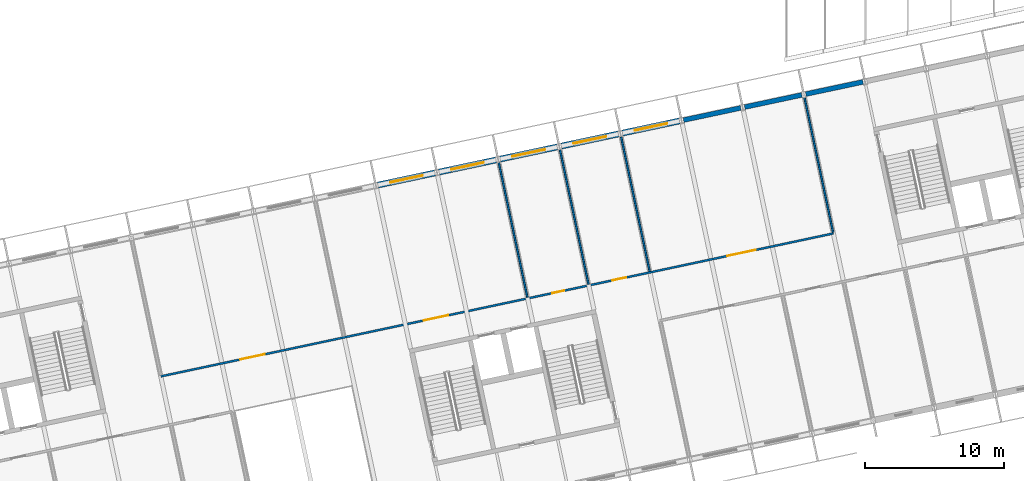
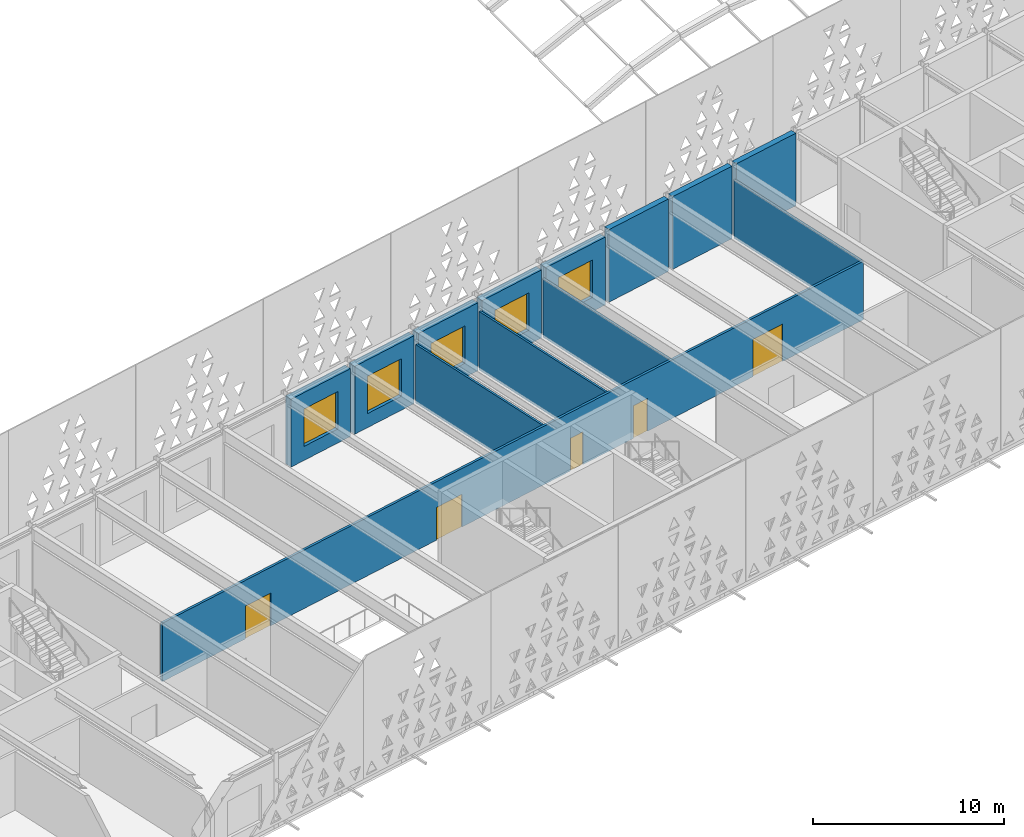
# One storey, part 123 of 196: 13 walls, 5 doors, 5 windows, 10 openings.
"""IFC4 building model written with IfcOpenShell, lengths in metres."""

from ifc_helpers import new_model, si_unit, direction, frame, frame_2d, origin, place, context, subcontext, project, spatial, rectangle, extrude, material, layer, layer_set, type_object, element, fill, save


model = new_model("IFC4")

# Units and contexts
model_context = context("Model", 3, precision=1e-05, world=origin(), true_north=direction((0.0, 1.0)))
body_context = subcontext(model_context, "Body", "Model", "MODEL_VIEW")
ifc_project = project(units=[si_unit("LENGTHUNIT", "METRE"), si_unit("AREAUNIT", "SQUARE_METRE"), si_unit("VOLUMEUNIT", "CUBIC_METRE"), si_unit("PLANEANGLEUNIT", "RADIAN"), si_unit("MASSUNIT", "GRAM", prefix="KILO")], contexts=[model_context])

# Site, building, storey
site_placement = place(None, origin())
site = spatial("IfcSite", under=ifc_project, at=site_placement, CompositionType="ELEMENT")
building_placement = place(site_placement, origin())
building = spatial("IfcBuilding", under=site, at=building_placement, Name="Okhra Congress Centre", CompositionType="ELEMENT")
storey_placement = place(building_placement, frame((0.0, 0.0, 12.0)))
storey = spatial("IfcBuildingStorey", under=building, at=storey_placement, Name="L02", CompositionType="ELEMENT", Elevation=12.0)

# Wall, opening, window
ifc_material_1 = material(Name="Insulated metal panel on steel stud (mineral wool, vapour barrier)", Category="steel")
ifc_layer_1 = layer(ifc_material_1, 0.449951171875)
ifc_layer_set_1 = layer_set([ifc_layer_1], Name="Insulated wall 450")
wall_type_1 = type_object("IfcWallType", Name="Insulated wall 450", PredefinedType="SOLIDWALL", material=ifc_layer_set_1)
wall_1_placement = place(storey_placement, frame((130.99609375, 66.22119140625, 0.0), z_axis=(0.0, 0.0, 1.0), x_axis=(0.978143927149, 0.207928972925, 0.0)))
wall_1 = element("IfcWall", 1, at=wall_1_placement, inside=storey, type_object=wall_type_1, Name="External wall N18 L02", PredefinedType="SOLIDWALL", context=body_context, shape_type="SweptSolid", body=[
    extrude(rectangle(XDim=4.199951171875, YDim=0.449951171875, at=frame_2d((2.10009765625, 0.0))), origin(), (0.0, 0.0, 1.0), 4.35009765625),
])
opening_1_placement = place(wall_1_placement, frame((0.89990234375, 0.0, 0.89990234375)))
opening_1 = element("IfcOpeningElement", 2, at=opening_1_placement, cuts=wall_1, Name="Opening WN22", PredefinedType="OPENING", context=body_context, shape_type="SweptSolid", body=[
    extrude(rectangle(XDim=2.39990234375, YDim=2.39990234375, at=frame_2d((1.199951171875, 1.199951171875))), frame((0.0, 0.23486328125, 0.0), z_axis=(0.0, -1.0, 0.0), x_axis=(1.0, 0.0, 0.0)), (0.0, 0.0, 1.0), 0.469970703125),
])
ifc_material_2 = material(Name="Thermally broken aluminium frame, triple glazing", Category="aluminium")
window_type = type_object("IfcWindowType", Name="Fixed window 2400x2400", PartitioningType="SINGLE_PANEL", PredefinedType="WINDOW", material=ifc_material_2)
window_1_placement = place(opening_1_placement, origin())
window_1 = element("IfcWindow", 3, at=window_1_placement, inside=storey, type_object=window_type, Name="BX.WIN.L02.54", OverallHeight=2.39990234375, OverallWidth=2.39990234375, PartitioningType="SINGLE_PANEL", PredefinedType="WINDOW", context=body_context, shape_type="SweptSolid", body=[
    extrude(rectangle(XDim=2.39990234375, YDim=2.39990234375, at=frame_2d((1.199951171875, 1.199951171875))), frame((0.0, 0.030029296875, 0.0), z_axis=(0.0, -1.0, 0.0), x_axis=(1.0, 0.0, 0.0)), (0.0, 0.0, 1.0), 0.06005859375),
])
fill(opening_1, window_1)

wall_2_placement = place(storey_placement, frame((135.397705078125, 67.15673828125, 0.0), z_axis=(0.0, 0.0, 1.0), x_axis=(0.978146440129, 0.207917150959, 0.0)))
wall_2 = element("IfcWall", 4, at=wall_2_placement, inside=storey, type_object=wall_type_1, Name="External wall N19 L02", PredefinedType="SOLIDWALL", context=body_context, shape_type="SweptSolid", body=[
    extrude(rectangle(XDim=4.2001953125, YDim=0.449951171875, at=frame_2d((2.10009765625, 0.0))), origin(), (0.0, 0.0, 1.0), 4.35009765625),
])
opening_2_placement = place(wall_2_placement, frame((0.89990234375, 0.0, 0.89990234375)))
opening_2 = element("IfcOpeningElement", 5, at=opening_2_placement, cuts=wall_2, Name="Opening WN22", PredefinedType="OPENING", context=body_context, shape_type="SweptSolid", body=[
    extrude(rectangle(XDim=2.39990234375, YDim=2.39990234375, at=frame_2d((1.199951171875, 1.199951171875))), frame((0.0, 0.23486328125, 0.0), z_axis=(0.0, -1.0, 0.0), x_axis=(1.0, 0.0, 0.0)), (0.0, 0.0, 1.0), 0.469970703125),
])
window_2_placement = place(opening_2_placement, origin())
window_2 = element("IfcWindow", 6, at=window_2_placement, inside=storey, type_object=window_type, Name="BX.WIN.L02.55", OverallHeight=2.39990234375, OverallWidth=2.39990234375, PartitioningType="SINGLE_PANEL", PredefinedType="WINDOW", context=body_context, shape_type="SweptSolid", body=[
    extrude(rectangle(XDim=2.39990234375, YDim=2.39990234375, at=frame_2d((1.199951171875, 1.199951171875))), frame((0.0, 0.030029296875, 0.0), z_axis=(0.0, -1.0, 0.0), x_axis=(1.0, 0.0, 0.0)), (0.0, 0.0, 1.0), 0.06005859375),
])
fill(opening_2, window_2)

wall_3_placement = place(storey_placement, frame((139.799560546875, 68.092529296875, 0.0), z_axis=(0.0, 0.0, 1.0), x_axis=(0.978155748334, 0.207873355681, 0.0)))
wall_3 = element("IfcWall", 7, at=wall_3_placement, inside=storey, type_object=wall_type_1, Name="External wall N20 L02", PredefinedType="SOLIDWALL", context=body_context, shape_type="SweptSolid", body=[
    extrude(rectangle(XDim=4.199951171875, YDim=0.449951171875, at=frame_2d((2.10009765625, 0.0))), origin(), (0.0, 0.0, 1.0), 4.35009765625),
])
opening_3_placement = place(wall_3_placement, frame((0.89990234375, 0.0, 0.89990234375)))
opening_3 = element("IfcOpeningElement", 8, at=opening_3_placement, cuts=wall_3, Name="Opening WN22", PredefinedType="OPENING", context=body_context, shape_type="SweptSolid", body=[
    extrude(rectangle(XDim=2.39990234375, YDim=2.39990234375, at=frame_2d((1.199951171875, 1.199951171875))), frame((0.0, 0.23486328125, 0.0), z_axis=(0.0, -1.0, 0.0), x_axis=(1.0, 0.0, 0.0)), (0.0, 0.0, 1.0), 0.469970703125),
])
window_3_placement = place(opening_3_placement, origin())
window_3 = element("IfcWindow", 9, at=window_3_placement, inside=storey, type_object=window_type, Name="BX.WIN.L02.56", OverallHeight=2.39990234375, OverallWidth=2.39990234375, PartitioningType="SINGLE_PANEL", PredefinedType="WINDOW", context=body_context, shape_type="SweptSolid", body=[
    extrude(rectangle(XDim=2.39990234375, YDim=2.39990234375, at=frame_2d((1.199951171875, 1.199951171875))), frame((0.0, 0.030029296875, 0.0), z_axis=(0.0, -1.0, 0.0), x_axis=(1.0, 0.0, 0.0)), (0.0, 0.0, 1.0), 0.06005859375),
])
fill(opening_3, window_3)

wall_4_placement = place(storey_placement, frame((144.201171875, 69.028076171875, 0.0), z_axis=(0.0, 0.0, 1.0), x_axis=(0.978143927149, 0.207928972925, 0.0)))
wall_4 = element("IfcWall", 10, at=wall_4_placement, inside=storey, type_object=wall_type_1, Name="External wall N21 L02", PredefinedType="SOLIDWALL", context=body_context, shape_type="SweptSolid", body=[
    extrude(rectangle(XDim=4.199951171875, YDim=0.449951171875, at=frame_2d((2.10009765625, 0.0))), origin(), (0.0, 0.0, 1.0), 4.35009765625),
])
opening_4_placement = place(wall_4_placement, frame((0.89990234375, 0.0, 0.89990234375)))
opening_4 = element("IfcOpeningElement", 11, at=opening_4_placement, cuts=wall_4, Name="Opening WN22", PredefinedType="OPENING", context=body_context, shape_type="SweptSolid", body=[
    extrude(rectangle(XDim=2.39990234375, YDim=2.39990234375, at=frame_2d((1.199951171875, 1.199951171875))), frame((0.0, 0.23486328125, 0.0), z_axis=(0.0, -1.0, 0.0), x_axis=(1.0, 0.0, 0.0)), (0.0, 0.0, 1.0), 0.469970703125),
])
window_4_placement = place(opening_4_placement, origin())
window_4 = element("IfcWindow", 12, at=window_4_placement, inside=storey, type_object=window_type, Name="BX.WIN.L02.57", OverallHeight=2.39990234375, OverallWidth=2.39990234375, PartitioningType="SINGLE_PANEL", PredefinedType="WINDOW", context=body_context, shape_type="SweptSolid", body=[
    extrude(rectangle(XDim=2.39990234375, YDim=2.39990234375, at=frame_2d((1.199951171875, 1.199951171875))), frame((0.0, 0.030029296875, 0.0), z_axis=(0.0, -1.0, 0.0), x_axis=(1.0, 0.0, 0.0)), (0.0, 0.0, 1.0), 0.06005859375),
])
fill(opening_4, window_4)

wall_5_placement = place(storey_placement, frame((148.602783203125, 69.963623046875, 0.0), z_axis=(0.0, 0.0, 1.0), x_axis=(0.978143927149, 0.207928972925, 0.0)))
wall_5 = element("IfcWall", 13, at=wall_5_placement, inside=storey, type_object=wall_type_1, Name="External wall N22 L02", PredefinedType="SOLIDWALL", context=body_context, shape_type="SweptSolid", body=[
    extrude(rectangle(XDim=4.199951171875, YDim=0.449951171875, at=frame_2d((2.10009765625, 0.0))), origin(), (0.0, 0.0, 1.0), 4.35009765625),
])
opening_5_placement = place(wall_5_placement, frame((0.89990234375, 0.0, 0.89990234375)))
opening_5 = element("IfcOpeningElement", 14, at=opening_5_placement, cuts=wall_5, Name="Opening WN22", PredefinedType="OPENING", context=body_context, shape_type="SweptSolid", body=[
    extrude(rectangle(XDim=2.39990234375, YDim=2.39990234375, at=frame_2d((1.199951171875, 1.199951171875))), frame((0.0, 0.23486328125, 0.0), z_axis=(0.0, -1.0, 0.0), x_axis=(1.0, 0.0, 0.0)), (0.0, 0.0, 1.0), 0.469970703125),
])
window_5_placement = place(opening_5_placement, origin())
window_5 = element("IfcWindow", 15, at=window_5_placement, inside=storey, type_object=window_type, Name="BX.WIN.L02.58", OverallHeight=2.39990234375, OverallWidth=2.39990234375, PartitioningType="SINGLE_PANEL", PredefinedType="WINDOW", context=body_context, shape_type="SweptSolid", body=[
    extrude(rectangle(XDim=2.39990234375, YDim=2.39990234375, at=frame_2d((1.199951171875, 1.199951171875))), frame((0.0, 0.030029296875, 0.0), z_axis=(0.0, -1.0, 0.0), x_axis=(1.0, 0.0, 0.0)), (0.0, 0.0, 1.0), 0.06005859375),
])
fill(opening_5, window_5)

# Walls
ifc_material_3 = material(Name="Gypsum board on steel studs", Category="steel")
ifc_layer_2 = layer(ifc_material_3, 0.125)
ifc_layer_set_2 = layer_set([ifc_layer_2], Name="Partition 125")
wall_type_2 = type_object("IfcWallType", Name="Partition 125", PredefinedType="PARTITIONING", material=ifc_layer_set_2)
wall_6_placement = place(storey_placement, frame((148.5029296875, 69.71240234375, 0.0), z_axis=(0.0, 0.0, 1.0), x_axis=(0.207904355568, -0.978149159861, 0.0)))
element("IfcWall", 16, at=wall_6_placement, inside=storey, type_object=wall_type_2, Name="Partition N L02", PredefinedType="PARTITIONING", context=body_context, shape_type="SweptSolid", body=[
    extrude(rectangle(XDim=9.925048828125, YDim=0.125, at=frame_2d((4.96240234375, 0.0))), origin(), (0.0, 0.0, 1.0), 3.75),
])
wall_7_placement = place(storey_placement, frame((161.707763671875, 72.51904296875, 0.0), z_axis=(0.0, 0.0, 1.0), x_axis=(0.20790935802, -0.978148096582, 0.0)))
element("IfcWall", 17, at=wall_7_placement, inside=storey, type_object=wall_type_2, Name="Partition N L02", PredefinedType="PARTITIONING", context=body_context, shape_type="SweptSolid", body=[
    extrude(rectangle(XDim=9.9248046875, YDim=0.125, at=frame_2d((4.96240234375, 0.0))), origin(), (0.0, 0.0, 1.0), 3.75),
])
ifc_layer_3 = layer(ifc_material_3, 0.125)
ifc_layer_set_3 = layer_set([ifc_layer_3], Name="Partition 125 EI 45")
wall_type_3 = type_object("IfcWallType", Name="Partition 125 EI 45", PredefinedType="PARTITIONING", material=ifc_layer_set_3)
wall_8_placement = place(storey_placement, frame((139.699462890625, 67.841064453125, 0.0), z_axis=(0.0, 0.0, 1.0), x_axis=(0.20790935802, -0.978148096582, 0.0)))
element("IfcWall", 18, at=wall_8_placement, inside=storey, type_object=wall_type_3, Name="Partition N L02", PredefinedType="PARTITIONING", context=body_context, shape_type="SweptSolid", body=[
    extrude(rectangle(XDim=9.9248046875, YDim=0.125, at=frame_2d((4.96240234375, 0.0))), origin(), (0.0, 0.0, 1.0), 3.75),
])
wall_9_placement = place(storey_placement, frame((144.10107421875, 68.77685546875, 0.0), z_axis=(0.0, 0.0, 1.0), x_axis=(0.207927890391, -0.978144157268, 0.0)))
element("IfcWall", 19, at=wall_9_placement, inside=storey, type_object=wall_type_3, Name="Partition N L02", PredefinedType="PARTITIONING", context=body_context, shape_type="SweptSolid", body=[
    extrude(rectangle(XDim=9.92529296875, YDim=0.125, at=frame_2d((4.962646484375, 0.0))), origin(), (0.0, 0.0, 1.0), 3.75),
])

# Wall, openings, doors
ifc_layer_4 = layer(ifc_material_3, 0.14990234375)
ifc_layer_set_4 = layer_set([ifc_layer_4], Name="Partition 150 EI 15")
wall_type_4 = type_object("IfcWallType", Name="Partition 150 EI 15", PredefinedType="PARTITIONING", material=ifc_layer_set_4)
wall_10_placement = place(storey_placement, frame((115.36865234375, 52.446044921875, 0.0), z_axis=(0.0, 0.0, 1.0), x_axis=(0.978147028863, 0.207914381239, 0.0)))
wall_10 = element("IfcWall", 20, at=wall_10_placement, inside=storey, type_object=wall_type_4, Name="Corridor wall N2 L02", PredefinedType="PARTITIONING", context=body_context, shape_type="SweptSolid", body=[
    extrude(rectangle(XDim=49.5, YDim=0.14990234375, at=frame_2d((24.75, 0.0))), origin(), (0.0, 0.0, 1.0), 3.75),
])
opening_6_placement = place(wall_10_placement, frame((5.85009765625, 0.0, 0.0)))
opening_6 = element("IfcOpeningElement", 21, at=opening_6_placement, cuts=wall_10, Name="Opening L02-078", PredefinedType="OPENING", context=body_context, shape_type="SweptSolid", body=[
    extrude(rectangle(XDim=1.800048828125, YDim=2.10009765625, at=frame_2d((0.89990234375, 1.050048828125))), frame((0.0, 0.0849609375, 0.0), z_axis=(0.0, -1.0, 0.0), x_axis=(1.0, 0.0, 0.0)), (0.0, 0.0, 1.0), 0.169921875),
])
opening_7_placement = place(wall_10_placement, frame((19.35009765625, 0.0, 0.0)))
opening_7 = element("IfcOpeningElement", 22, at=opening_7_placement, cuts=wall_10, Name="Opening L02-079", PredefinedType="OPENING", context=body_context, shape_type="SweptSolid", body=[
    extrude(rectangle(XDim=1.800048828125, YDim=2.10009765625, at=frame_2d((0.89990234375, 1.050048828125))), frame((0.0, 0.0849609375, 0.0), z_axis=(0.0, -1.0, 0.0), x_axis=(1.0, 0.0, 0.0)), (0.0, 0.0, 1.0), 0.169921875),
])
opening_8_placement = place(wall_10_placement, frame((28.800048828125, 0.0, 0.0)))
opening_8 = element("IfcOpeningElement", 23, at=opening_8_placement, cuts=wall_10, Name="Opening L02-080", PredefinedType="OPENING", context=body_context, shape_type="SweptSolid", body=[
    extrude(rectangle(XDim=0.89990234375, YDim=2.10009765625, at=frame_2d((0.449951171875, 1.050048828125))), frame((0.0, 0.0849609375, 0.0), z_axis=(0.0, -1.0, 0.0), x_axis=(1.0, 0.0, 0.0)), (0.0, 0.0, 1.0), 0.169921875),
])
opening_9_placement = place(wall_10_placement, frame((33.25, 0.0, 0.0)))
opening_9 = element("IfcOpeningElement", 24, at=opening_9_placement, cuts=wall_10, Name="Opening L02-081", PredefinedType="OPENING", context=body_context, shape_type="SweptSolid", body=[
    extrude(rectangle(XDim=1.0, YDim=2.10009765625, at=frame_2d((0.5, 1.050048828125))), frame((0.0, 0.0849609375, 0.0), z_axis=(0.0, -1.0, 0.0), x_axis=(1.0, 0.0, 0.0)), (0.0, 0.0, 1.0), 0.169921875),
])
opening_10_placement = place(wall_10_placement, frame((41.699951171875, 0.0, 0.0)))
opening_10 = element("IfcOpeningElement", 25, at=opening_10_placement, cuts=wall_10, Name="Opening L02-082", PredefinedType="OPENING", context=body_context, shape_type="SweptSolid", body=[
    extrude(rectangle(XDim=2.10009765625, YDim=2.39990234375, at=frame_2d((1.050048828125, 1.199951171875))), frame((0.0, 0.0849609375, 0.0), z_axis=(0.0, -1.0, 0.0), x_axis=(1.0, 0.0, 0.0)), (0.0, 0.0, 1.0), 0.169921875),
])
ifc_material_4 = material(Name="Timber door leaves in steel frame", Category="steel")
door_type_1 = type_object("IfcDoorType", Name="Double swing door 1800x2100", OperationType="NOTDEFINED", PredefinedType="DOOR", material=ifc_material_4)
door_1_placement = place(opening_6_placement, frame((1.800048828125, 0.0, 0.0), z_axis=(0.0, 0.0, 1.0), x_axis=(-1.0, 0.0, 0.0)))
door_1 = element("IfcDoor", 26, at=door_1_placement, inside=storey, type_object=door_type_1, Name="Door L02-078", OperationType="DOUBLE_DOOR_SINGLE_SWING", OverallHeight=2.10009765625, OverallWidth=1.800048828125, PredefinedType="DOOR", context=body_context, shape_type="SweptSolid", body=[
    extrude(rectangle(XDim=1.800048828125, YDim=2.10009765625, at=frame_2d((0.89990234375, 1.050048828125))), frame((0.0, 0.02490234375, 0.0), z_axis=(0.0, -1.0, 0.0), x_axis=(1.0, 0.0, 0.0)), (0.0, 0.0, 1.0), 0.050048828125),
])
fill(opening_6, door_1)
door_2_placement = place(opening_7_placement, frame((1.800048828125, 0.0, 0.0), z_axis=(0.0, 0.0, 1.0), x_axis=(-1.0, 0.0, 0.0)))
door_2 = element("IfcDoor", 27, at=door_2_placement, inside=storey, type_object=door_type_1, Name="Door L02-079", OperationType="DOUBLE_DOOR_SINGLE_SWING", OverallHeight=2.10009765625, OverallWidth=1.800048828125, PredefinedType="DOOR", context=body_context, shape_type="SweptSolid", body=[
    extrude(rectangle(XDim=1.800048828125, YDim=2.10009765625, at=frame_2d((0.89990234375, 1.050048828125))), frame((0.0, 0.02490234375, 0.0), z_axis=(0.0, -1.0, 0.0), x_axis=(1.0, 0.0, 0.0)), (0.0, 0.0, 1.0), 0.050048828125),
])
fill(opening_7, door_2)
door_type_2 = type_object("IfcDoorType", Name="Double swing door 2100x2400", OperationType="NOTDEFINED", PredefinedType="DOOR", material=ifc_material_4)
door_3_placement = place(opening_10_placement, frame((2.10009765625, 0.0, 0.0), z_axis=(0.0, 0.0, 1.0), x_axis=(-1.0, 0.0, 0.0)))
door_3 = element("IfcDoor", 28, at=door_3_placement, inside=storey, type_object=door_type_2, Name="Door L02-082", OperationType="DOUBLE_DOOR_SINGLE_SWING", OverallHeight=2.39990234375, OverallWidth=2.10009765625, PredefinedType="DOOR", context=body_context, shape_type="SweptSolid", body=[
    extrude(rectangle(XDim=2.10009765625, YDim=2.39990234375, at=frame_2d((1.050048828125, 1.199951171875))), frame((0.0, 0.02490234375, 0.0), z_axis=(0.0, -1.0, 0.0), x_axis=(1.0, 0.0, 0.0)), (0.0, 0.0, 1.0), 0.050048828125),
])
fill(opening_10, door_3)
ifc_material_5 = material(Name="Timber door leaf in steel frame", Category="steel")
door_type_3 = type_object("IfcDoorType", Name="Single swing door 1000x2100", OperationType="NOTDEFINED", PredefinedType="DOOR", material=ifc_material_5)
door_4_placement = place(opening_9_placement, origin())
door_4 = element("IfcDoor", 29, at=door_4_placement, inside=storey, type_object=door_type_3, Name="Door L02-081", OperationType="SINGLE_SWING_RIGHT", OverallHeight=2.10009765625, OverallWidth=1.0, PredefinedType="DOOR", context=body_context, shape_type="SweptSolid", body=[
    extrude(rectangle(XDim=1.0, YDim=2.10009765625, at=frame_2d((0.5, 1.050048828125))), frame((0.0, 0.02490234375, 0.0), z_axis=(0.0, -1.0, 0.0), x_axis=(1.0, 0.0, 0.0)), (0.0, 0.0, 1.0), 0.050048828125),
])
fill(opening_9, door_4)
ifc_material_6 = material(Name="Steel fire door leaf in steel frame, intumescent seals", Category="steel")
door_type_4 = type_object("IfcDoorType", Name="Steel fire door 900x2100 EI 30", OperationType="NOTDEFINED", PredefinedType="DOOR", material=ifc_material_6)
door_5_placement = place(opening_8_placement, origin())
door_5 = element("IfcDoor", 30, at=door_5_placement, inside=storey, type_object=door_type_4, Name="Door L02-080", OperationType="SINGLE_SWING_LEFT", OverallHeight=2.10009765625, OverallWidth=0.89990234375, PredefinedType="DOOR", context=body_context, shape_type="SweptSolid", body=[
    extrude(rectangle(XDim=0.89990234375, YDim=2.10009765625, at=frame_2d((0.449951171875, 1.050048828125))), frame((0.0, 0.02490234375, 0.0), z_axis=(0.0, -1.0, 0.0), x_axis=(1.0, 0.0, 0.0)), (0.0, 0.0, 1.0), 0.050048828125),
])
fill(opening_8, door_5)

# Walls
ifc_material_7 = material(Name="Concrete C30/37", Category="concrete")
ifc_layer_5 = layer(ifc_material_7, 0.35009765625)
ifc_layer_set_5 = layer_set([ifc_layer_5], Name="RC fire wall 350 REI 150 C30/37")
wall_type_5 = type_object("IfcWallType", Name="RC fire wall 350 REI 150 C30/37", PredefinedType="SOLIDWALL", material=ifc_layer_set_5)
wall_11_placement = place(storey_placement, frame((153.00439453125, 70.899169921875, 0.0), z_axis=(0.0, 0.0, 1.0), x_axis=(0.978143927149, 0.207928972925, 0.0)))
element("IfcWall", 31, at=wall_11_placement, inside=storey, type_object=wall_type_5, Name="Fire wall N23 L02", PredefinedType="SOLIDWALL", context=body_context, shape_type="SweptSolid", body=[
    extrude(rectangle(XDim=4.199951171875, YDim=0.35009765625, at=frame_2d((2.10009765625, 0.0))), origin(), (0.0, 0.0, 1.0), 4.64990234375),
])
wall_12_placement = place(storey_placement, frame((157.406005859375, 71.834716796875, 0.0), z_axis=(0.0, 0.0, 1.0), x_axis=(0.978146440129, 0.207917150959, 0.0)))
element("IfcWall", 32, at=wall_12_placement, inside=storey, type_object=wall_type_5, Name="Fire wall N24 L02", PredefinedType="SOLIDWALL", context=body_context, shape_type="SweptSolid", body=[
    extrude(rectangle(XDim=4.2001953125, YDim=0.35009765625, at=frame_2d((2.10009765625, 0.0))), origin(), (0.0, 0.0, 1.0), 4.64990234375),
])
wall_13_placement = place(storey_placement, frame((161.807861328125, 72.7705078125, 0.0), z_axis=(0.0, 0.0, 1.0), x_axis=(0.978155748334, 0.207873355681, 0.0)))
element("IfcWall", 33, at=wall_13_placement, inside=storey, type_object=wall_type_5, Name="Fire wall N25 L02", PredefinedType="SOLIDWALL", context=body_context, shape_type="SweptSolid", body=[
    extrude(rectangle(XDim=4.199951171875, YDim=0.35009765625, at=frame_2d((2.10009765625, 0.0))), origin(), (0.0, 0.0, 1.0), 4.64990234375),
])

save(model, "model.ifc")
